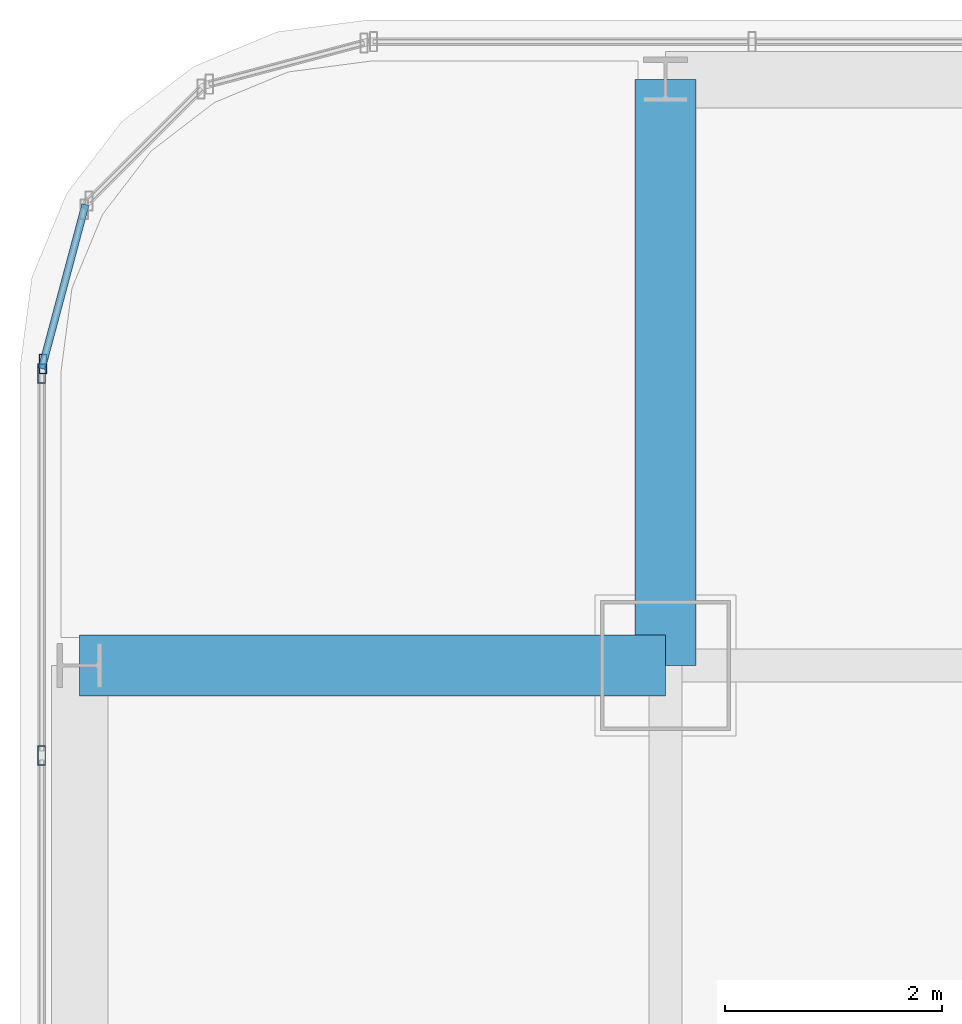
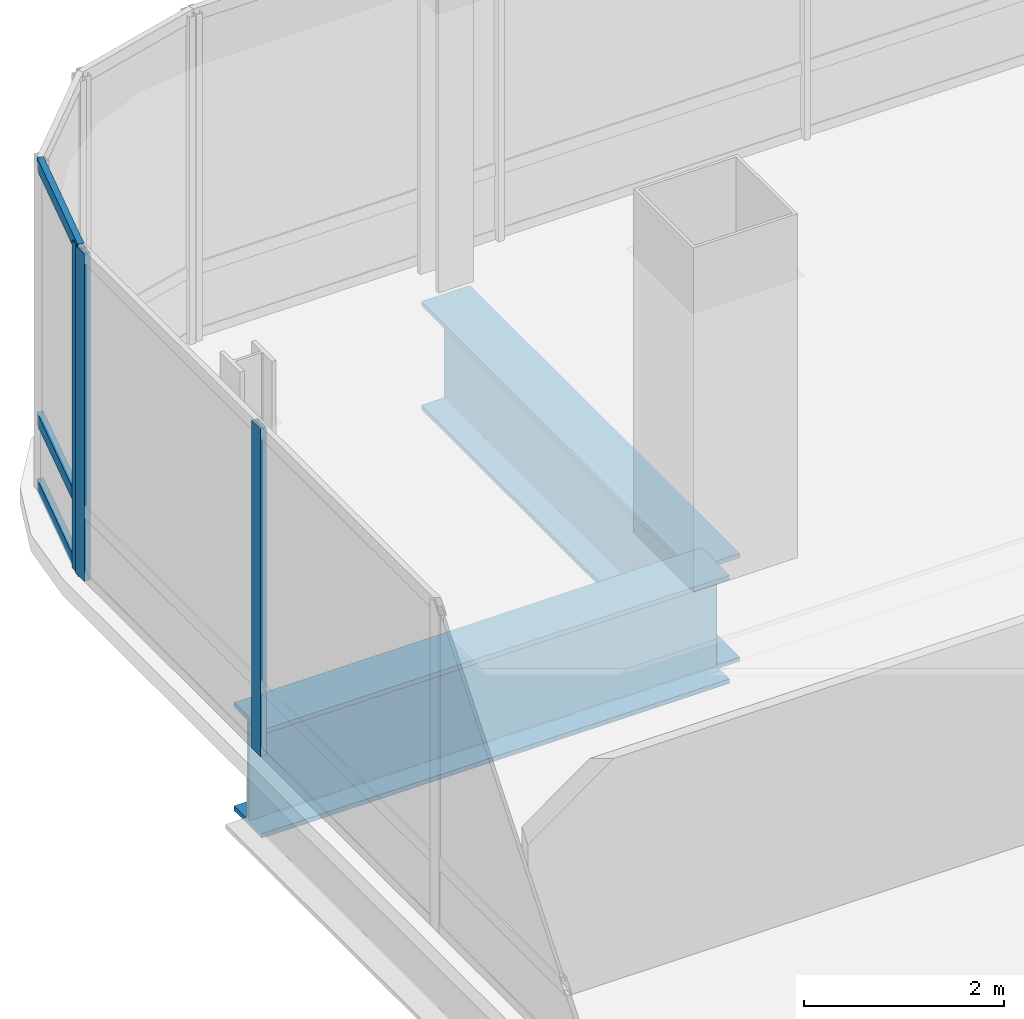
# One storey, part 21 of 41: 6 members, 2 beams, 2 elements without a shape of their own.
"""IFC4 building model written with IfcOpenShell, lengths in metres."""

from ifc_helpers import new_model, si_unit, direction, frame, origin, origin_2d, place, context, subcontext, project, spatial, hollow_rectangle, i_section, extrude, material, material_profile, profile_set, type_object, element, aggregate, save


model = new_model("IFC4")

# Units and contexts
model_context = context("Model", 3, precision=1e-05, world=origin(), true_north=direction((0.0, 1.0)))
body_context = subcontext(model_context, "Body", "Model", "MODEL_VIEW")
ifc_project = project(units=[si_unit("LENGTHUNIT", "METRE"), si_unit("AREAUNIT", "SQUARE_METRE"), si_unit("VOLUMEUNIT", "CUBIC_METRE"), si_unit("PLANEANGLEUNIT", "RADIAN"), si_unit("MASSUNIT", "GRAM", prefix="KILO")], contexts=[model_context])

# Site, building, storey
site_placement = place(None, origin())
site = spatial("IfcSite", under=ifc_project, at=site_placement, CompositionType="ELEMENT")
building_placement = place(site_placement, origin())
building = spatial("IfcBuilding", under=site, at=building_placement, Name="Punatoya Terracotta Tower", CompositionType="ELEMENT")
storey_placement = place(building_placement, frame((0.0, 0.0, 288.0)))
storey = spatial("IfcBuildingStorey", under=building, at=storey_placement, Name="L68", CompositionType="ELEMENT", Elevation=288.0)

# Beams
ifc_material_1 = material(Name="Steel S460", Category="steel")
ifc_material_profile_1 = material_profile(ifc_material_1, i_section(OverallWidth=0.56005859375, OverallDepth=1.320068359375, WebThickness=0.035888671875, FlangeThickness=0.054931640625, FilletRadius=0.01806640625, at=origin_2d()))
ifc_profile_set_1 = profile_set([ifc_material_profile_1], Name="Steel S460")
beam_type = type_object("IfcBeamType", Name="BM-TG-BLK", PredefinedType="BEAM", material=ifc_profile_set_1)
for number, where, z_axis, x_axis, name in (
    (1, (-24.5, 17.5, -0.860107421875), (1.0, 0.0, 0.0), (0.0, 1.0, 0.0), "BM-L68-CANT-W4"),
    (2, (-19.10009765625, 17.5, -0.860107421875), (0.0, 1.0, 0.0), (-1.0, 0.0, 0.0), "BM-L68-CANT-N1"),
):
    element("IfcBeam", number, at=place(storey_placement, frame(where, z_axis=z_axis, x_axis=x_axis)), inside=storey, type_object=beam_type, Name=name, PredefinedType="BEAM", context=body_context, shape_type="SweptSolid", body=[
        extrude(i_section(OverallWidth=0.56005859375, OverallDepth=1.320068359375, WebThickness=0.035888671875, FlangeThickness=0.054931640625, FilletRadius=0.01806640625, at=origin_2d()), origin(), (0.0, 0.0, 1.0), 5.39990234375),
    ])

# Curtain wall, member
ifc_material_2 = material(Name="Aluminium 6063-T6 + Double Low-E Glass", Category="aluminium")
curtain_wall_type = type_object("IfcCurtainWallType", Name="CW-M3", PredefinedType="NOTDEFINED", material=ifc_material_2)
curtain_wall_1_placement = place(storey_placement, origin())
curtain_wall_1 = element("IfcCurtainWall", 3, at=curtain_wall_1_placement, inside=storey, type_object=curtain_wall_type, Name="L68 Curtain Wall CW-L68-CRN12", PredefinedType="NOTDEFINED")
ifc_material_3 = material(Name="Aluminium 6063-T6", Category="aluminium")
ifc_material_profile_2 = material_profile(ifc_material_3, hollow_rectangle(XDim=0.070068359375, YDim=0.179931640625, WallThickness=0.00390625, at=origin_2d()))
ifc_profile_set_2 = profile_set([ifc_material_profile_2], Name="Aluminium 6063-T6")
member_type_1 = type_object("IfcMemberType", Name="CW-MUL-M3", PredefinedType="MULLION", material=ifc_profile_set_2)
member_1_placement = place(storey_placement, frame((-24.83837890625, 20.280517578125, 0.0), z_axis=(0.0, 0.0, 1.0), x_axis=(1.0, 0.0, 0.0)))
member_1 = element("IfcMember", 4, at=member_1_placement, type_object=member_type_1, Name="CW-L68-CRN12 Mullion 01", PredefinedType="MULLION", context=body_context, shape_type="SweptSolid", body=[
    extrude(hollow_rectangle(XDim=0.070068359375, YDim=0.179931640625, WallThickness=0.00390625, at=origin_2d()), origin(), (0.0, 0.0, 1.0), 4.0),
])

# Curtain wall, members
curtain_wall_2_placement = place(storey_placement, origin())
curtain_wall_2 = element("IfcCurtainWall", 5, at=curtain_wall_2_placement, inside=storey, type_object=curtain_wall_type, Name="L68 Curtain Wall CW-L68-W13-1", PredefinedType="NOTDEFINED")
member_2_placement = place(storey_placement, frame((-24.85009765625, 20.19189453125, 0.0), z_axis=(0.0, 0.0, 1.0), x_axis=(1.0, 0.0, 0.0)))
member_2 = element("IfcMember", 6, at=member_2_placement, type_object=member_type_1, Name="CW-L68-W13-1 Mullion 00", PredefinedType="MULLION", context=body_context, shape_type="SweptSolid", body=[
    extrude(hollow_rectangle(XDim=0.070068359375, YDim=0.179931640625, WallThickness=0.00390625, at=origin_2d()), origin(), (0.0, 0.0, 1.0), 4.0),
])
member_3_placement = place(storey_placement, frame((-24.85009765625, 16.66943359375, 0.0), z_axis=(0.0, 0.0, 1.0), x_axis=(1.0, 0.0, 0.0)))
member_3 = element("IfcMember", 7, at=member_3_placement, type_object=member_type_1, Name="CW-L68-W13-1 Mullion 01", PredefinedType="MULLION", context=body_context, shape_type="SweptSolid", body=[
    extrude(hollow_rectangle(XDim=0.070068359375, YDim=0.179931640625, WallThickness=0.00390625, at=origin_2d()), origin(), (0.0, 0.0, 1.0), 4.0),
])
aggregate(curtain_wall_2, [member_2, member_3])

# Member
ifc_material_profile_3 = material_profile(ifc_material_3, hollow_rectangle(XDim=0.068115234375, YDim=0.14990234375, WallThickness=0.00390625, at=origin_2d()))
ifc_profile_set_3 = profile_set([ifc_material_profile_3], Name="Aluminium 6063-T6")
member_type_2 = type_object("IfcMemberType", Name="CW-TRN-TYP", PredefinedType="USERDEFINED", material=ifc_profile_set_3)
member_4_placement = place(storey_placement, frame((-24.446533203125, 21.7490234375, 0.0400390625), z_axis=(-0.257847112249, -0.966185730957, 0.0), x_axis=(0.966185730957, -0.257847112249, 0.0)))
member_4 = element("IfcMember", 8, at=member_4_placement, type_object=member_type_2, Name="CW-L68-CRN12 Transom 1", ObjectType="TRANSOM", PredefinedType="USERDEFINED", context=body_context, shape_type="SweptSolid", body=[
    extrude(hollow_rectangle(XDim=0.068115234375, YDim=0.14990234375, WallThickness=0.00390625, at=origin_2d()), origin(), (0.0, 0.0, 1.0), 1.565185546875),
])

member_5_placement = place(storey_placement, frame((-24.446533203125, 21.7490234375, 0.85009765625), z_axis=(-0.257847112249, -0.966185730957, 0.0), x_axis=(0.966185730957, -0.257847112249, 0.0)))
member_5 = element("IfcMember", 9, at=member_5_placement, type_object=member_type_2, Name="CW-L68-CRN12 Transom 2", ObjectType="TRANSOM", PredefinedType="USERDEFINED", context=body_context, shape_type="SweptSolid", body=[
    extrude(hollow_rectangle(XDim=0.068115234375, YDim=0.14990234375, WallThickness=0.00390625, at=origin_2d()), origin(), (0.0, 0.0, 1.0), 1.565185546875),
])

member_6_placement = place(storey_placement, frame((-24.446533203125, 21.7490234375, 3.9599609375), z_axis=(-0.257847112249, -0.966185730957, 0.0), x_axis=(0.966185730957, -0.257847112249, 0.0)))
member_6 = element("IfcMember", 10, at=member_6_placement, type_object=member_type_2, Name="CW-L68-CRN12 Transom 3", ObjectType="TRANSOM", PredefinedType="USERDEFINED", context=body_context, shape_type="SweptSolid", body=[
    extrude(hollow_rectangle(XDim=0.068115234375, YDim=0.14990234375, WallThickness=0.00390625, at=origin_2d()), origin(), (0.0, 0.0, 1.0), 1.565185546875),
])

aggregate(curtain_wall_1, [member_1, member_4, member_5, member_6])

save(model, "model.ifc")
